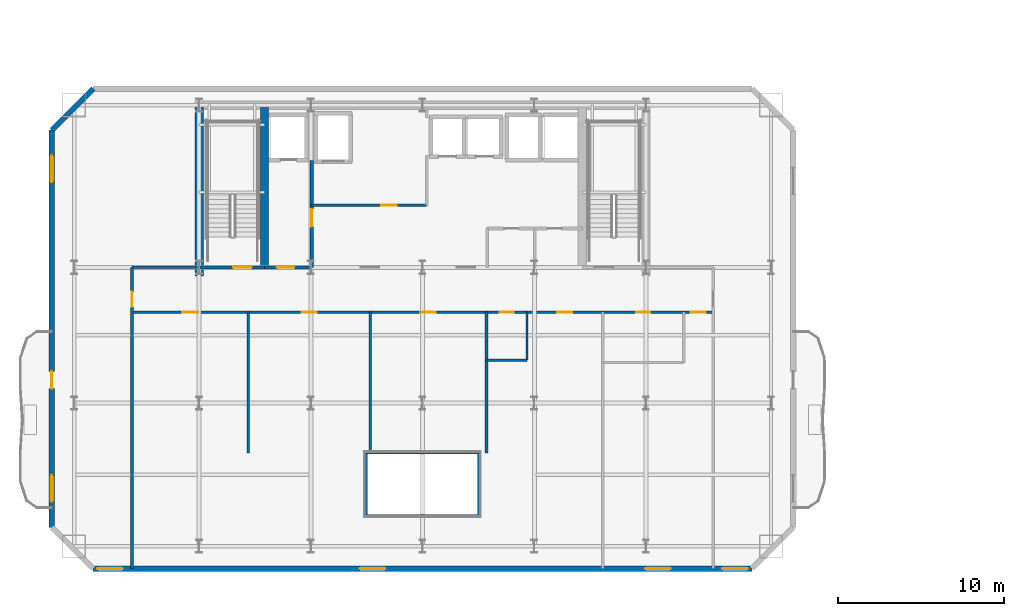
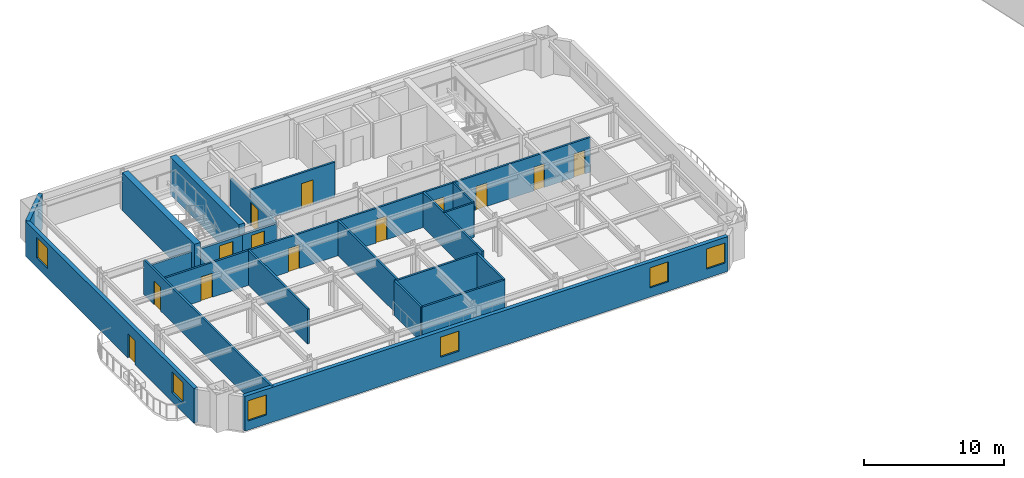
# One storey, part 5 of 13: 21 walls, 13 doors, 6 windows, 19 openings.
"""IFC4 building model written with IfcOpenShell, lengths in metres."""

import ifcopenshell
import ifcopenshell.guid

model = None  # the IFC model being written
_history = None  # IfcOwnerHistory: only IFC2X3 demands one
_inside = {}  # id of a spatial element -> (the spatial element, [elements in it])
_under = {}  # id of a project, library or spatial element -> (it, [spatial elements below it])
_declared = {}  # id of a project -> (the project, [libraries it declares])
_typed = {}  # id of a type object -> (the type object, [elements of that type])
_made_of = {}  # id of a material, layer set ... -> (it, [elements and type objects made of it])


def new_model(schema):
    """Start an empty IFC model of exactly this schema.

    Asked for "IFC4X3", IfcOpenShell would pick the latest addendum, in which some entities
    have other attributes; the version numbers below select the first issue.
    IFC2X3 requires an IfcOwnerHistory on every rooted entity: one is made here for all.
    """
    global model, _history
    if schema == "IFC4X3":
        model = ifcopenshell.file(schema_version=(4, 3, 0, 0))
    else:
        model = ifcopenshell.file(schema=schema)
    _inside.clear()
    _under.clear()
    _declared.clear()
    _typed.clear()
    _made_of.clear()
    _history = None
    if model.schema == "IFC2X3":
        org = make("IfcOrganization", Name="unknown")
        user = make(
            "IfcPersonAndOrganization",
            ThePerson=make("IfcPerson", FamilyName="unknown"),
            TheOrganization=org,
        )
        app = make(
            "IfcApplication",
            ApplicationDeveloper=org,
            Version="unknown",
            ApplicationFullName="unknown",
            ApplicationIdentifier="unknown",
        )
        _history = make(
            "IfcOwnerHistory",
            OwningUser=user,
            OwningApplication=app,
            ChangeAction="ADDED",
            CreationDate=0,
        )
    return model


def make(cls, **values):
    """One entity of the class cls with the attributes given. An attribute that is None is left unset."""
    return model.create_entity(
        cls, **{name: value for name, value in values.items() if value is not None}
    )


def rooted(cls, **values):
    """An entity with a GlobalId (a new one), such as an element, a storey or a relation."""
    return make(cls, GlobalId=ifcopenshell.guid.new(), OwnerHistory=_history, **values)


def si_unit(unit_type, name, prefix=None):
    """IfcSIUnit, for example si_unit("LENGTHUNIT", "METRE", prefix="MILLI")."""
    return make("IfcSIUnit", UnitType=unit_type, Prefix=prefix, Name=name)


def assignment(units):
    """IfcUnitAssignment: the units of a project."""
    return None if units is None else make("IfcUnitAssignment", Units=units)


def point(xyz):
    """IfcCartesianPoint."""
    return None if xyz is None else make("IfcCartesianPoint", Coordinates=xyz)


def direction(xyz):
    """IfcDirection."""
    return None if xyz is None else make("IfcDirection", DirectionRatios=xyz)


def frame(location, z_axis=None, x_axis=None):
    """IfcAxis2Placement3D, a coordinate frame: its origin and axes. An axis left out is left unset."""
    return make(
        "IfcAxis2Placement3D",
        Location=point(location),
        Axis=direction(z_axis),
        RefDirection=direction(x_axis),
    )


def frame_2d(location, x_axis=None):
    """IfcAxis2Placement2D, a coordinate frame in the plane: its origin and x axis."""
    return make(
        "IfcAxis2Placement2D", Location=point(location), RefDirection=direction(x_axis)
    )


def origin():
    """The frame at (0, 0, 0) with its axes left unset."""
    return frame((0.0, 0.0, 0.0))


def place(relative_to, where):
    """IfcLocalPlacement: puts the frame where relative to a parent placement (None: the world)."""
    return make(
        "IfcLocalPlacement", PlacementRelTo=relative_to, RelativePlacement=where
    )


def context(
    kind, dimensions, precision=None, world=None, true_north=None, identifier=None
):
    """IfcGeometricRepresentationContext, for example the 3D "Model" context."""
    return make(
        "IfcGeometricRepresentationContext",
        ContextIdentifier=identifier,
        ContextType=kind,
        CoordinateSpaceDimension=dimensions,
        Precision=precision,
        WorldCoordinateSystem=world,
        TrueNorth=true_north,
    )


def subcontext(parent, identifier, kind, view, scale=None):
    """IfcGeometricRepresentationSubContext, for example "Body" below "Model"."""
    return make(
        "IfcGeometricRepresentationSubContext",
        ContextIdentifier=identifier,
        ContextType=kind,
        ParentContext=parent,
        TargetScale=scale,
        TargetView=view,
    )


def project(units=None, contexts=None):
    """IfcProject with its units and contexts."""
    return rooted(
        "IfcProject",
        Name="project",
        RepresentationContexts=contexts,
        UnitsInContext=assignment(units),
    )


def spatial(cls, under=None, at=None, **own):
    """A site, building, storey or space (cls), placed at a placement, below another one or the project."""
    s = rooted(cls, ObjectPlacement=at, **own)
    if under is not None:
        _under.setdefault(under.id(), (under, []))[1].append(s)
    return s


def profile(cls, at=None, kind="AREA", **sizes):
    """A parametric profile (cls). Its sizes go by their IFC names, for example OverallWidth=200.0."""
    return make(cls, ProfileType=kind, Position=at, **sizes)


def rectangle(**sizes):
    """IfcRectangleProfileDef."""
    return profile("IfcRectangleProfileDef", **sizes)


def extrude(swept, where, along, depth):
    """IfcExtrudedAreaSolid: the profile swept, set in the frame where, extruded along a direction by depth."""
    return make(
        "IfcExtrudedAreaSolid",
        SweptArea=swept,
        Position=where,
        ExtrudedDirection=direction(along),
        Depth=depth,
    )


def shape(context_of_items, identifier, shape_type, items):
    """IfcShapeRepresentation: the items that make up one representation, for example the "Body"."""
    return make(
        "IfcShapeRepresentation",
        ContextOfItems=context_of_items,
        RepresentationIdentifier=identifier,
        RepresentationType=shape_type,
        Items=items,
    )


def material(Name=None, Category=None):
    """IfcMaterial."""
    return make("IfcMaterial", Name=Name, Category=Category)


def layer(
    of_material, thickness, ventilated=None, Name=None, Category=None, Priority=None
):
    """IfcMaterialLayer: one layer of a wall or slab, of a material (None: an air gap)."""
    return make(
        "IfcMaterialLayer",
        Material=of_material,
        LayerThickness=thickness,
        IsVentilated=ventilated,
        Name=Name,
        Category=Category,
        Priority=Priority,
    )


def layer_set(layers, Name=None):
    """IfcMaterialLayerSet."""
    return make("IfcMaterialLayerSet", MaterialLayers=layers, LayerSetName=Name)


def made_of(thing, what):
    """Note that an element or type object is made of a material, layer set ...; save() writes the relation."""
    if what is not None:
        _made_of.setdefault(what.id(), (what, []))[1].append(thing)
    return thing


def type_object(cls, material=None, **own):
    """A type object (cls), such as IfcWallType, which elements share."""
    return made_of(rooted(cls, **own), material)


def element(
    cls,
    number,
    at=None,
    inside=None,
    cuts=None,
    type_object=None,
    material=None,
    context=None,
    identifier="Body",
    shape_type=None,
    held_by="IfcProductDefinitionShape",
    body=None,
    shapes=None,
    **own,
):
    """One element of the class cls, such as IfcWall. Its Tag is "e" and its number.

    at: its placement. inside: the storey or other place that contains it. cuts: it is an
    opening in that element (IfcRelVoidsElement). A single representation is given by context,
    identifier, shape_type and body (its items); several are given by shapes. held_by: the class
    of the entity that holds the representations. save() writes the other relations.
    """
    e = rooted(cls, Tag="e%d" % number, ObjectPlacement=at, **own)
    if body is not None:
        shapes = [shape(context, identifier, shape_type, body)]
    if shapes is not None:
        e.Representation = make(held_by, Representations=shapes)
    if inside is not None:
        _inside.setdefault(inside.id(), (inside, []))[1].append(e)
    if cuts is not None:
        rooted(
            "IfcRelVoidsElement", RelatingBuildingElement=cuts, RelatedOpeningElement=e
        )
    if type_object is not None:
        _typed.setdefault(type_object.id(), (type_object, []))[1].append(e)
    return made_of(e, material)


def fill(opening, filler):
    """IfcRelFillsElement: the door or window that sits in an opening."""
    return rooted(
        "IfcRelFillsElement",
        RelatingOpeningElement=opening,
        RelatedBuildingElement=filler,
    )


def aggregate(whole, parts):
    """IfcRelAggregates: a whole, such as a stair, and the parts it consists of."""
    return rooted("IfcRelAggregates", RelatingObject=whole, RelatedObjects=parts)


def save(model, path):
    """Write the relations noted so far, then the file.

    IfcRelAggregates (storeys below a building ...), IfcRelContainedInSpatialStructure (elements
    in a storey), IfcRelDefinesByType, IfcRelAssociatesMaterial and IfcRelDeclares: one each for
    every whole, place, type object, material and project.
    """
    for whole, parts in _under.values():
        aggregate(whole, parts)
    for where, things in _inside.values():
        rooted(
            "IfcRelContainedInSpatialStructure",
            RelatedElements=things,
            RelatingStructure=where,
        )
    for kind, things in _typed.values():
        rooted("IfcRelDefinesByType", RelatedObjects=things, RelatingType=kind)
    for what, things in _made_of.values():
        rooted("IfcRelAssociatesMaterial", RelatedObjects=things, RelatingMaterial=what)
    for by, libraries in _declared.values():
        rooted("IfcRelDeclares", RelatingContext=by, RelatedDefinitions=libraries)
    model.write(path)


model = new_model("IFC4")

# Units and contexts
model_context = context("Model", 3, precision=1e-05, world=origin(), true_north=direction((0.0, 1.0)))
body_context = subcontext(model_context, "Body", "Model", "MODEL_VIEW")
ifc_project = project(units=[si_unit("LENGTHUNIT", "METRE"), si_unit("AREAUNIT", "SQUARE_METRE"), si_unit("VOLUMEUNIT", "CUBIC_METRE"), si_unit("PLANEANGLEUNIT", "RADIAN"), si_unit("MASSUNIT", "GRAM", prefix="KILO")], contexts=[model_context])

# Site, building, storey
site_placement = place(None, origin())
site = spatial("IfcSite", under=ifc_project, at=site_placement, CompositionType="ELEMENT")
building_placement = place(site_placement, origin())
building = spatial("IfcBuilding", under=site, at=building_placement, Name="Haevon Station Towers", CompositionType="ELEMENT")
storey_placement = place(building_placement, frame((0.0, 0.0, 126.300048828125)))
storey = spatial("IfcBuildingStorey", under=building, at=storey_placement, Name="L34", CompositionType="ELEMENT", Elevation=126.300048828125)

# Wall, opening, door
ifc_material_1 = material(Name="Gypsum board on steel stud", Category="steel")
ifc_layer_1 = layer(ifc_material_1, 0.199951171875)
ifc_layer_set_1 = layer_set([ifc_layer_1], Name="Gypsum board on steel stud")
wall_type_1 = type_object("IfcWallType", Name="WL-COR200", PredefinedType="PARTITIONING", material=ifc_layer_set_1)
wall_1_placement = place(storey_placement, frame((24.0, 38.199951171875, 0.0), z_axis=(0.0, 0.0, 1.0), x_axis=(1.0, 0.0, 0.0)))
wall_1 = element("IfcWall", 1, at=wall_1_placement, inside=storey, type_object=wall_type_1, Name="WL-ST-ST1-L34", PredefinedType="PARTITIONING", context=body_context, shape_type="SweptSolid", body=[
    extrude(rectangle(XDim=3.949951171875, YDim=0.199951171875, at=frame_2d((1.97509765625, 0.0))), origin(), (0.0, 0.0, 1.0), 2.3798828125),
])
opening_1_placement = place(wall_1_placement, frame((2.050048828125, 0.0, 0.0)))
opening_1 = element("IfcOpeningElement", 2, at=opening_1_placement, cuts=wall_1, Name="Opening DR-ST-ST1-L34", PredefinedType="OPENING", context=body_context, shape_type="SweptSolid", body=[
    extrude(rectangle(XDim=1.1201171875, YDim=2.10009765625, at=frame_2d((0.56005859375, 1.050048828125))), frame((0.0, 0.10986328125, 0.0), z_axis=(0.0, -1.0, 0.0), x_axis=(1.0, 0.0, 0.0)), (0.0, 0.0, 1.0), 0.219970703125),
])
ifc_material_2 = material(Name="Engineered oak timber", Category="wood")
door_type_1 = type_object("IfcDoorType", Name="DR-ST-1120", OperationType="NOTDEFINED", PredefinedType="DOOR", material=ifc_material_2)
door_1_placement = place(opening_1_placement, origin())
door_1 = element("IfcDoor", 3, at=door_1_placement, inside=storey, type_object=door_type_1, Name="L34 Escape Stair ST1 Fire Door", OperationType="SINGLE_SWING_LEFT", OverallHeight=2.10009765625, OverallWidth=1.1201171875, PredefinedType="DOOR", context=body_context, shape_type="SweptSolid", body=[
    extrude(rectangle(XDim=1.1201171875, YDim=2.10009765625, at=frame_2d((0.56005859375, 1.050048828125))), frame((0.0, 0.02490234375, 0.0), z_axis=(0.0, -1.0, 0.0), x_axis=(1.0, 0.0, 0.0)), (0.0, 0.0, 1.0), 0.050048828125),
])
fill(opening_1, door_1)

wall_2_placement = place(storey_placement, frame((30.800048828125, 38.199951171875, 0.0), z_axis=(0.0, 0.0, 1.0), x_axis=(0.0, 1.0, 0.0)))
wall_2 = element("IfcWall", 4, at=wall_2_placement, inside=storey, type_object=wall_type_1, Name="WL-T1FFL-L34-E", PredefinedType="PARTITIONING", context=body_context, shape_type="SweptSolid", body=[
    extrude(rectangle(XDim=6.449951171875, YDim=0.199951171875, at=frame_2d((3.22509765625, 0.0))), origin(), (0.0, 0.0, 1.0), 2.3798828125),
])
opening_2_placement = place(wall_2_placement, frame((2.469970703125, 0.0, 0.0)))
opening_2 = element("IfcOpeningElement", 5, at=opening_2_placement, cuts=wall_2, Name="Opening DR-T1FFL-L34-E", PredefinedType="OPENING", context=body_context, shape_type="SweptSolid", body=[
    extrude(rectangle(XDim=1.050048828125, YDim=2.10009765625, at=frame_2d((0.52490234375, 1.050048828125))), frame((0.0, 0.10986328125, 0.0), z_axis=(0.0, -1.0, 0.0), x_axis=(1.0, 0.0, 0.0)), (0.0, 0.0, 1.0), 0.219970703125),
])
door_type_2 = type_object("IfcDoorType", Name="DR-FD60-1050", OperationType="NOTDEFINED", PredefinedType="DOOR", material=ifc_material_2)
door_2_placement = place(opening_2_placement, origin())
door_2 = element("IfcDoor", 6, at=door_2_placement, inside=storey, type_object=door_type_2, Name="L34 Tower 1 Firefighting Lift Lobby Door E", OperationType="SINGLE_SWING_LEFT", OverallHeight=2.10009765625, OverallWidth=1.050048828125, PredefinedType="DOOR", context=body_context, shape_type="SweptSolid", body=[
    extrude(rectangle(XDim=1.050048828125, YDim=2.10009765625, at=frame_2d((0.52490234375, 1.050048828125))), frame((0.0, 0.02490234375, 0.0), z_axis=(0.0, -1.0, 0.0), x_axis=(1.0, 0.0, 0.0)), (0.0, 0.0, 1.0), 0.050048828125),
])
fill(opening_2, door_2)

wall_3_placement = place(storey_placement, frame((27.949951171875, 38.199951171875, 0.0), z_axis=(0.0, 0.0, 1.0), x_axis=(1.0, 0.0, 0.0)))
wall_3 = element("IfcWall", 7, at=wall_3_placement, inside=storey, type_object=wall_type_1, Name="WL-T1FFL-L34-S", PredefinedType="PARTITIONING", context=body_context, shape_type="SweptSolid", body=[
    extrude(rectangle(XDim=2.85009765625, YDim=0.199951171875, at=frame_2d((1.425048828125, 0.0))), origin(), (0.0, 0.0, 1.0), 2.3798828125),
])
opening_3_placement = place(wall_3_placement, frame((0.75, 0.0, 0.0)))
opening_3 = element("IfcOpeningElement", 8, at=opening_3_placement, cuts=wall_3, Name="Opening DR-T1FFL-L34-S", PredefinedType="OPENING", context=body_context, shape_type="SweptSolid", body=[
    extrude(rectangle(XDim=1.050048828125, YDim=2.10009765625, at=frame_2d((0.52490234375, 1.050048828125))), frame((0.0, 0.10986328125, 0.0), z_axis=(0.0, -1.0, 0.0), x_axis=(1.0, 0.0, 0.0)), (0.0, 0.0, 1.0), 0.219970703125),
])
door_3_placement = place(opening_3_placement, origin())
door_3 = element("IfcDoor", 9, at=door_3_placement, inside=storey, type_object=door_type_2, Name="L34 Tower 1 Firefighting Lift Lobby Door S", OperationType="SINGLE_SWING_RIGHT", OverallHeight=2.10009765625, OverallWidth=1.050048828125, PredefinedType="DOOR", context=body_context, shape_type="SweptSolid", body=[
    extrude(rectangle(XDim=1.050048828125, YDim=2.10009765625, at=frame_2d((0.52490234375, 1.050048828125))), frame((0.0, 0.02490234375, 0.0), z_axis=(0.0, -1.0, 0.0), x_axis=(1.0, 0.0, 0.0)), (0.0, 0.0, 1.0), 0.050048828125),
])
fill(opening_3, door_3)

# Walls
ifc_material_3 = material(Name="Concrete C60/75", Category="concrete")
ifc_layer_2 = layer(ifc_material_3, 0.5)
ifc_layer_set_2 = layer_set([ifc_layer_2], Name="Concrete C60/75")
wall_type_2 = type_object("IfcWallType", Name="WL-CR500", PredefinedType="SHEAR", material=ifc_layer_set_2)
wall_4_placement = place(storey_placement, frame((24.0, 37.679931640625, 0.0), z_axis=(0.0, 0.0, 1.0), x_axis=(0.0, 1.0, 0.0)))
element("IfcWall", 10, at=wall_4_placement, inside=storey, type_object=wall_type_2, Name="WL-T1CR-L34-W", PredefinedType="SHEAR", context=body_context, shape_type="SweptSolid", body=[
    extrude(rectangle(XDim=10.320068359375, YDim=0.5, at=frame_2d((5.16015625, 0.0))), origin(), (0.0, 0.0, 1.0), 3.300048828125),
])
wall_5_placement = place(storey_placement, frame((27.949951171875, 38.199951171875, 0.0), z_axis=(0.0, 0.0, 1.0), x_axis=(0.0, 1.0, 0.0)))
element("IfcWall", 11, at=wall_5_placement, inside=storey, type_object=wall_type_2, Name="WL-T1CR-L34-M1", PredefinedType="SHEAR", context=body_context, shape_type="SweptSolid", body=[
    extrude(rectangle(XDim=9.800048828125, YDim=0.5, at=frame_2d((4.89990234375, 0.0))), origin(), (0.0, 0.0, 1.0), 3.300048828125),
])

# Wall, openings, windows
ifc_material_4 = material(Name="Precast concrete C45/55", Category="concrete")
ifc_layer_3 = layer(ifc_material_4, 0.320068359375)
ifc_layer_set_3 = layer_set([ifc_layer_3], Name="Precast concrete C45/55")
wall_type_3 = type_object("IfcWallType", Name="WL-EXT-PIER320", PredefinedType="SOLIDWALL", material=ifc_layer_set_3)
wall_6_placement = place(storey_placement, frame((57.39990234375, 20.0, 0.0), z_axis=(0.0, 0.0, 1.0), x_axis=(-1.0, 0.0, 0.0)))
wall_6 = element("IfcWall", 12, at=wall_6_placement, inside=storey, type_object=wall_type_3, Name="WL-T1-L34-S", PredefinedType="SOLIDWALL", context=body_context, shape_type="SweptSolid", body=[
    extrude(rectangle(XDim=39.7998046875, YDim=0.320068359375, at=frame_2d((19.89990234375, 0.0))), origin(), (0.0, 0.0, 1.0), 3.030029296875),
])
opening_4_placement = place(wall_6_placement, frame((38.0, 0.0, 0.800048828125)))
opening_4 = element("IfcOpeningElement", 13, at=opening_4_placement, cuts=wall_6, Name="Opening WN-P155", PredefinedType="OPENING", context=body_context, shape_type="SweptSolid", body=[
    extrude(rectangle(XDim=1.550048828125, YDim=1.75, at=frame_2d((0.77490234375, 0.875))), frame((0.0, 0.169921875, 0.0), z_axis=(0.0, -1.0, 0.0), x_axis=(1.0, 0.0, 0.0)), (0.0, 0.0, 1.0), 0.340087890625),
])
opening_5_placement = place(wall_6_placement, frame((0.25, 0.0, 0.800048828125)))
opening_5 = element("IfcOpeningElement", 14, at=opening_5_placement, cuts=wall_6, Name="Opening WN-P155", PredefinedType="OPENING", context=body_context, shape_type="SweptSolid", body=[
    extrude(rectangle(XDim=1.550048828125, YDim=1.75, at=frame_2d((0.77490234375, 0.875))), frame((0.0, 0.169921875, 0.0), z_axis=(0.0, -1.0, 0.0), x_axis=(1.0, 0.0, 0.0)), (0.0, 0.0, 1.0), 0.340087890625),
])
opening_6_placement = place(wall_6_placement, frame((22.1494140625, 0.0, 0.800048828125)))
opening_6 = element("IfcOpeningElement", 15, at=opening_6_placement, cuts=wall_6, Name="Opening WN-P155", PredefinedType="OPENING", context=body_context, shape_type="SweptSolid", body=[
    extrude(rectangle(XDim=1.550048828125, YDim=1.75, at=frame_2d((0.77490234375, 0.875))), frame((0.0, 0.169921875, 0.0), z_axis=(0.0, -1.0, 0.0), x_axis=(1.0, 0.0, 0.0)), (0.0, 0.0, 1.0), 0.340087890625),
])
opening_7_placement = place(wall_6_placement, frame((4.909423828125, 0.0, 0.800048828125)))
opening_7 = element("IfcOpeningElement", 16, at=opening_7_placement, cuts=wall_6, Name="Opening WN-P155", PredefinedType="OPENING", context=body_context, shape_type="SweptSolid", body=[
    extrude(rectangle(XDim=1.550048828125, YDim=1.75, at=frame_2d((0.77490234375, 0.875))), frame((0.0, 0.169921875, 0.0), z_axis=(0.0, -1.0, 0.0), x_axis=(1.0, 0.0, 0.0)), (0.0, 0.0, 1.0), 0.340087890625),
])
ifc_material_5 = material(Name="Low-E triple glazing in thermally broken aluminium", Category="aluminium")
window_type_1 = type_object("IfcWindowType", Name="WN-P155", PartitioningType="SINGLE_PANEL", PredefinedType="WINDOW", material=ifc_material_5)
window_1_placement = place(opening_4_placement, origin())
window_1 = element("IfcWindow", 17, at=window_1_placement, inside=storey, type_object=window_type_1, Name="WN-T1-L34-S01", OverallHeight=1.75, OverallWidth=1.550048828125, PartitioningType="SINGLE_PANEL", PredefinedType="WINDOW", context=body_context, shape_type="SweptSolid", body=[
    extrude(rectangle(XDim=1.550048828125, YDim=1.75, at=frame_2d((0.77490234375, 0.875))), frame((0.0, 0.030029296875, 0.0), z_axis=(0.0, -1.0, 0.0), x_axis=(1.0, 0.0, 0.0)), (0.0, 0.0, 1.0), 0.06005859375),
])
fill(opening_4, window_1)
window_2_placement = place(opening_5_placement, origin())
window_2 = element("IfcWindow", 18, at=window_2_placement, inside=storey, type_object=window_type_1, Name="WN-T1-L34-S02", OverallHeight=1.75, OverallWidth=1.550048828125, PartitioningType="SINGLE_PANEL", PredefinedType="WINDOW", context=body_context, shape_type="SweptSolid", body=[
    extrude(rectangle(XDim=1.550048828125, YDim=1.75, at=frame_2d((0.77490234375, 0.875))), frame((0.0, 0.030029296875, 0.0), z_axis=(0.0, -1.0, 0.0), x_axis=(1.0, 0.0, 0.0)), (0.0, 0.0, 1.0), 0.06005859375),
])
fill(opening_5, window_2)
window_3_placement = place(opening_6_placement, origin())
window_3 = element("IfcWindow", 19, at=window_3_placement, inside=storey, type_object=window_type_1, Name="WN-T1-L34-S03", OverallHeight=1.75, OverallWidth=1.550048828125, PartitioningType="SINGLE_PANEL", PredefinedType="WINDOW", context=body_context, shape_type="SweptSolid", body=[
    extrude(rectangle(XDim=1.550048828125, YDim=1.75, at=frame_2d((0.77490234375, 0.875))), frame((0.0, 0.030029296875, 0.0), z_axis=(0.0, -1.0, 0.0), x_axis=(1.0, 0.0, 0.0)), (0.0, 0.0, 1.0), 0.06005859375),
])
fill(opening_6, window_3)
window_4_placement = place(opening_7_placement, origin())
window_4 = element("IfcWindow", 20, at=window_4_placement, inside=storey, type_object=window_type_1, Name="WN-T1-L34-S04", OverallHeight=1.75, OverallWidth=1.550048828125, PartitioningType="SINGLE_PANEL", PredefinedType="WINDOW", context=body_context, shape_type="SweptSolid", body=[
    extrude(rectangle(XDim=1.550048828125, YDim=1.75, at=frame_2d((0.77490234375, 0.875))), frame((0.0, 0.030029296875, 0.0), z_axis=(0.0, -1.0, 0.0), x_axis=(1.0, 0.0, 0.0)), (0.0, 0.0, 1.0), 0.06005859375),
])
fill(opening_7, window_4)

# Wall, openings, door, windows
wall_7_placement = place(storey_placement, frame((15.10009765625, 22.5, 0.0), z_axis=(0.0, 0.0, 1.0), x_axis=(0.0, 1.0, 0.0)))
wall_7 = element("IfcWall", 21, at=wall_7_placement, inside=storey, type_object=wall_type_3, Name="WL-T1-L34-W", PredefinedType="SOLIDWALL", context=body_context, shape_type="SweptSolid", body=[
    extrude(rectangle(XDim=24.0, YDim=0.320068359375, at=frame_2d((12.0, 0.0))), origin(), (0.0, 0.0, 1.0), 3.030029296875),
])
opening_8_placement = place(wall_7_placement, frame((8.375, 0.0, 0.0)))
opening_8 = element("IfcOpeningElement", 22, at=opening_8_placement, cuts=wall_7, Name="Opening DR-T1-SCAL-L34-W", PredefinedType="OPENING", context=body_context, shape_type="SweptSolid", body=[
    extrude(rectangle(XDim=1.050048828125, YDim=2.10009765625, at=frame_2d((0.52490234375, 1.050048828125))), frame((0.0, 0.169921875, 0.0), z_axis=(0.0, -1.0, 0.0), x_axis=(1.0, 0.0, 0.0)), (0.0, 0.0, 1.0), 0.340087890625),
])
opening_9_placement = place(wall_7_placement, frame((1.54296875, 0.0, 0.800048828125)))
opening_9 = element("IfcOpeningElement", 23, at=opening_9_placement, cuts=wall_7, Name="Opening WN-END160", PredefinedType="OPENING", context=body_context, shape_type="SweptSolid", body=[
    extrude(rectangle(XDim=1.60009765625, YDim=1.800048828125, at=frame_2d((0.800048828125, 0.89990234375))), frame((0.0, 0.169921875, 0.0), z_axis=(0.0, -1.0, 0.0), x_axis=(1.0, 0.0, 0.0)), (0.0, 0.0, 1.0), 0.340087890625),
])
opening_10_placement = place(wall_7_placement, frame((20.857177734375, 0.0, 0.800048828125)))
opening_10 = element("IfcOpeningElement", 24, at=opening_10_placement, cuts=wall_7, Name="Opening WN-END160", PredefinedType="OPENING", context=body_context, shape_type="SweptSolid", body=[
    extrude(rectangle(XDim=1.60009765625, YDim=1.800048828125, at=frame_2d((0.800048828125, 0.89990234375))), frame((0.0, 0.169921875, 0.0), z_axis=(0.0, -1.0, 0.0), x_axis=(1.0, 0.0, 0.0)), (0.0, 0.0, 1.0), 0.340087890625),
])
ifc_material_6 = material(Name="Thermally broken anodised aluminium and laminated safety glass", Category="aluminium")
door_type_3 = type_object("IfcDoorType", Name="DR-BALC-1050", OperationType="NOTDEFINED", PredefinedType="DOOR", material=ifc_material_6)
door_4_placement = place(opening_8_placement, origin())
door_4 = element("IfcDoor", 25, at=door_4_placement, inside=storey, type_object=door_type_3, Name="Tower 1 L34 West Scalloped Balcony Door", OperationType="SINGLE_SWING_RIGHT", OverallHeight=2.10009765625, OverallWidth=1.050048828125, PredefinedType="DOOR", context=body_context, shape_type="SweptSolid", body=[
    extrude(rectangle(XDim=1.050048828125, YDim=2.10009765625, at=frame_2d((0.52490234375, 1.050048828125))), frame((0.0, 0.02490234375, 0.0), z_axis=(0.0, -1.0, 0.0), x_axis=(1.0, 0.0, 0.0)), (0.0, 0.0, 1.0), 0.050048828125),
])
fill(opening_8, door_4)
window_type_2 = type_object("IfcWindowType", Name="WN-END160", PartitioningType="SINGLE_PANEL", PredefinedType="WINDOW", material=ifc_material_5)
window_5_placement = place(opening_9_placement, origin())
window_5 = element("IfcWindow", 26, at=window_5_placement, inside=storey, type_object=window_type_2, Name="WN-T1-L34-W01", OverallHeight=1.800048828125, OverallWidth=1.60009765625, PartitioningType="SINGLE_PANEL", PredefinedType="WINDOW", context=body_context, shape_type="SweptSolid", body=[
    extrude(rectangle(XDim=1.60009765625, YDim=1.800048828125, at=frame_2d((0.800048828125, 0.89990234375))), frame((0.0, 0.030029296875, 0.0), z_axis=(0.0, -1.0, 0.0), x_axis=(1.0, 0.0, 0.0)), (0.0, 0.0, 1.0), 0.06005859375),
])
fill(opening_9, window_5)
window_6_placement = place(opening_10_placement, origin())
window_6 = element("IfcWindow", 27, at=window_6_placement, inside=storey, type_object=window_type_2, Name="WN-T1-L34-W02", OverallHeight=1.800048828125, OverallWidth=1.60009765625, PartitioningType="SINGLE_PANEL", PredefinedType="WINDOW", context=body_context, shape_type="SweptSolid", body=[
    extrude(rectangle(XDim=1.60009765625, YDim=1.800048828125, at=frame_2d((0.800048828125, 0.89990234375))), frame((0.0, 0.030029296875, 0.0), z_axis=(0.0, -1.0, 0.0), x_axis=(1.0, 0.0, 0.0)), (0.0, 0.0, 1.0), 0.06005859375),
])
fill(opening_10, window_6)

# Walls
wall_8_placement = place(storey_placement, frame((15.10009765625, 46.5, 0.0), z_axis=(0.0, 0.0, 1.0), x_axis=(0.707106781187, 0.707106781187, 0.0)))
element("IfcWall", 28, at=wall_8_placement, inside=storey, type_object=wall_type_3, Name="WL-T1-L34-NWC", PredefinedType="SOLIDWALL", context=body_context, shape_type="SweptSolid", body=[
    extrude(rectangle(XDim=3.53564453125, YDim=0.320068359375, at=frame_2d((1.767822265625, 0.0))), origin(), (0.0, 0.0, 1.0), 3.030029296875),
])
ifc_layer_4 = layer(ifc_material_1, 0.125)
ifc_layer_set_4 = layer_set([ifc_layer_4], Name="Gypsum board on steel stud")
wall_type_4 = type_object("IfcWallType", Name="WL-PRT125", PredefinedType="PARTITIONING", material=ifc_layer_set_4)
wall_9_placement = place(storey_placement, frame((43.81103515625, 32.60009765625, 0.0), z_axis=(0.0, 0.0, 1.0), x_axis=(0.0, 1.0, 0.0)))
element("IfcWall", 29, at=wall_9_placement, inside=storey, type_object=wall_type_4, Name="WL-T1PT-L34-15", PredefinedType="PARTITIONING", context=body_context, shape_type="SweptSolid", body=[
    extrude(rectangle(XDim=2.89990234375, YDim=0.125, at=frame_2d((1.449951171875, 0.0))), origin(), (0.0, 0.0, 1.0), 3.030029296875),
])
ifc_layer_5 = layer(ifc_material_1, 0.139892578125)
ifc_layer_set_5 = layer_set([ifc_layer_5], Name="Gypsum board on steel stud")
wall_type_5 = type_object("IfcWallType", Name="WL-PRT140", PredefinedType="PARTITIONING", material=ifc_layer_set_5)
wall_10_placement = place(storey_placement, frame((41.361083984375, 32.60009765625, 0.0), z_axis=(0.0, 0.0, 1.0), x_axis=(1.0, 0.0, 0.0)))
element("IfcWall", 30, at=wall_10_placement, inside=storey, type_object=wall_type_5, Name="WL-T1PT-L34-14", PredefinedType="PARTITIONING", context=body_context, shape_type="SweptSolid", body=[
    extrude(rectangle(XDim=2.449951171875, YDim=0.139892578125, at=frame_2d((1.22509765625, 0.0))), origin(), (0.0, 0.0, 1.0), 3.030029296875),
])

# Wall, opening, door
ifc_layer_6 = layer(ifc_material_1, 0.159912109375)
ifc_layer_set_6 = layer_set([ifc_layer_6], Name="Gypsum board on steel stud")
wall_type_6 = type_object("IfcWallType", Name="WL-PRT160", PredefinedType="PARTITIONING", material=ifc_layer_set_6)
wall_11_placement = place(storey_placement, frame((30.800048828125, 41.949951171875, 0.0), z_axis=(0.0, 0.0, 1.0), x_axis=(1.0, 0.0, 0.0)))
wall_11 = element("IfcWall", 31, at=wall_11_placement, inside=storey, type_object=wall_type_6, Name="WL-T1CW-L34-01", PredefinedType="PARTITIONING", context=body_context, shape_type="SweptSolid", body=[
    extrude(rectangle(XDim=6.949951171875, YDim=0.159912109375, at=frame_2d((3.47509765625, 0.0))), origin(), (0.0, 0.0, 1.0), 3.030029296875),
])
opening_11_placement = place(wall_11_placement, frame((4.199951171875, 0.0, 0.0)))
opening_11 = element("IfcOpeningElement", 32, at=opening_11_placement, cuts=wall_11, Name="Opening DR-WL-T1CW-L34-01-1", PredefinedType="OPENING", context=body_context, shape_type="SweptSolid", body=[
    extrude(rectangle(XDim=0.949951171875, YDim=2.10009765625, at=frame_2d((0.47509765625, 1.050048828125))), frame((0.0, 0.08984375, 0.0), z_axis=(0.0, -1.0, 0.0), x_axis=(1.0, 0.0, 0.0)), (0.0, 0.0, 1.0), 0.179931640625),
])
door_type_4 = type_object("IfcDoorType", Name="DR-FD60-950", OperationType="NOTDEFINED", PredefinedType="DOOR", material=ifc_material_2)
door_5_placement = place(opening_11_placement, origin())
door_5 = element("IfcDoor", 33, at=door_5_placement, inside=storey, type_object=door_type_4, Name="L34 Tower 1 Core Room Door 1-1", OperationType="SINGLE_SWING_LEFT", OverallHeight=2.10009765625, OverallWidth=0.949951171875, PredefinedType="DOOR", context=body_context, shape_type="SweptSolid", body=[
    extrude(rectangle(XDim=0.949951171875, YDim=2.10009765625, at=frame_2d((0.47509765625, 1.050048828125))), frame((0.0, 0.02490234375, 0.0), z_axis=(0.0, -1.0, 0.0), x_axis=(1.0, 0.0, 0.0)), (0.0, 0.0, 1.0), 0.050048828125),
])
fill(opening_11, door_5)

# Wall
wall_12_placement = place(storey_placement, frame((19.949951171875, 38.199951171875, 0.0), z_axis=(0.0, 0.0, 1.0), x_axis=(1.0, 0.0, 0.0)))
element("IfcWall", 34, at=wall_12_placement, inside=storey, type_object=wall_type_6, Name="WL-T1PT-L34-01", PredefinedType="PARTITIONING", context=body_context, shape_type="SweptSolid", body=[
    extrude(rectangle(XDim=4.050048828125, YDim=0.159912109375, at=frame_2d((2.02490234375, 0.0))), origin(), (0.0, 0.0, 1.0), 2.3798828125),
])

# Wall, opening, door
wall_13_placement = place(storey_placement, frame((19.949951171875, 20.0, 0.0), z_axis=(0.0, 0.0, 1.0), x_axis=(0.0, 1.0, 0.0)))
wall_13 = element("IfcWall", 35, at=wall_13_placement, inside=storey, type_object=wall_type_6, Name="WL-T1PT-L34-03", PredefinedType="PARTITIONING", context=body_context, shape_type="SweptSolid", body=[
    extrude(rectangle(XDim=18.199951171875, YDim=0.159912109375, at=frame_2d((9.10009765625, 0.0))), origin(), (0.0, 0.0, 1.0), 3.030029296875),
])
opening_12_placement = place(wall_13_placement, frame((15.820068359375, 0.0, 0.0)))
opening_12 = element("IfcOpeningElement", 36, at=opening_12_placement, cuts=wall_13, Name="Opening DR-WL-T1PT-L34-03-01", PredefinedType="OPENING", context=body_context, shape_type="SweptSolid", body=[
    extrude(rectangle(XDim=0.89990234375, YDim=2.050048828125, at=frame_2d((0.449951171875, 1.02490234375))), frame((0.0, 0.08984375, 0.0), z_axis=(0.0, -1.0, 0.0), x_axis=(1.0, 0.0, 0.0)), (0.0, 0.0, 1.0), 0.179931640625),
])
door_type_5 = type_object("IfcDoorType", Name="DR-INT-900", OperationType="NOTDEFINED", PredefinedType="DOOR", material=ifc_material_2)
door_6_placement = place(opening_12_placement, origin())
door_6 = element("IfcDoor", 37, at=door_6_placement, inside=storey, type_object=door_type_5, Name="L34 Tower 1 Room Door 3-1", OperationType="SINGLE_SWING_RIGHT", OverallHeight=2.050048828125, OverallWidth=0.89990234375, PredefinedType="DOOR", context=body_context, shape_type="SweptSolid", body=[
    extrude(rectangle(XDim=0.89990234375, YDim=2.050048828125, at=frame_2d((0.449951171875, 1.02490234375))), frame((0.0, 0.02490234375, 0.0), z_axis=(0.0, -1.0, 0.0), x_axis=(1.0, 0.0, 0.0)), (0.0, 0.0, 1.0), 0.050048828125),
])
fill(opening_12, door_6)

# Walls
for number, where, z_axis, x_axis, name in (
    (38, (34.10009765625, 23.199951171875, 0.0), (0.0, 0.0, 1.0), (1.0, 0.0, 0.0), "WL-T1PT-L34-05"),
    (39, (34.10009765625, 27.0, 0.0), (0.0, 0.0, 1.0), (1.0, 0.0, 0.0), "WL-T1PT-L34-06"),
):
    element("IfcWall", number, at=place(storey_placement, frame(where, z_axis=z_axis, x_axis=x_axis)), inside=storey, type_object=wall_type_6, Name=name, PredefinedType="PARTITIONING", context=body_context, shape_type="SweptSolid", body=[
        extrude(rectangle(XDim=6.7998046875, YDim=0.159912109375, at=frame_2d((3.39990234375, 0.0))), origin(), (0.0, 0.0, 1.0), 3.030029296875),
    ])
for number, where, z_axis, x_axis, name in (
    (40, (34.10009765625, 23.199951171875, 0.0), (0.0, 0.0, 1.0), (0.0, 1.0, 0.0), "WL-T1PT-L34-07"),
    (41, (40.89990234375, 23.199951171875, 0.0), (0.0, 0.0, 1.0), (0.0, 1.0, 0.0), "WL-T1PT-L34-08"),
):
    element("IfcWall", number, at=place(storey_placement, frame(where, z_axis=z_axis, x_axis=x_axis)), inside=storey, type_object=wall_type_6, Name=name, PredefinedType="PARTITIONING", context=body_context, shape_type="SweptSolid", body=[
        extrude(rectangle(XDim=3.800048828125, YDim=0.159912109375, at=frame_2d((1.89990234375, 0.0))), origin(), (0.0, 0.0, 1.0), 3.030029296875),
    ])
for number, where, z_axis, x_axis, name in (
    (42, (26.969970703125, 27.0, 0.0), (0.0, 0.0, 1.0), (0.0, 1.0, 0.0), "WL-T1PT-L34-09"),
    (43, (34.341064453125, 27.0, 0.0), (0.0, 0.0, 1.0), (0.0, 1.0, 0.0), "WL-T1PT-L34-10"),
    (44, (41.361083984375, 27.0, 0.0), (0.0, 0.0, 1.0), (0.0, 1.0, 0.0), "WL-T1PT-L34-12"),
):
    element("IfcWall", number, at=place(storey_placement, frame(where, z_axis=z_axis, x_axis=x_axis)), inside=storey, type_object=wall_type_6, Name=name, PredefinedType="PARTITIONING", context=body_context, shape_type="SweptSolid", body=[
        extrude(rectangle(XDim=8.5, YDim=0.159912109375, at=frame_2d((4.25, 0.0))), origin(), (0.0, 0.0, 1.0), 3.030029296875),
    ])

# Wall, openings, doors
wall_14_placement = place(storey_placement, frame((19.949951171875, 35.5, 0.0), z_axis=(0.0, 0.0, 1.0), x_axis=(1.0, 0.0, 0.0)))
wall_14 = element("IfcWall", 45, at=wall_14_placement, inside=storey, type_object=wall_type_6, Name="WL-T1PT-L34-19", PredefinedType="PARTITIONING", context=body_context, shape_type="SweptSolid", body=[
    extrude(rectangle(XDim=35.10009765625, YDim=0.159912109375, at=frame_2d((17.550048828125, 0.0))), origin(), (0.0, 0.0, 1.0), 3.030029296875),
])
opening_13_placement = place(wall_14_placement, frame((3.034912109375, 0.0, 0.0)))
opening_13 = element("IfcOpeningElement", 46, at=opening_13_placement, cuts=wall_14, Name="Opening DR-WL-T1PT-L34-19-01", PredefinedType="OPENING", context=body_context, shape_type="SweptSolid", body=[
    extrude(rectangle(XDim=0.949951171875, YDim=2.10009765625, at=frame_2d((0.47509765625, 1.050048828125))), frame((0.0, 0.08984375, 0.0), z_axis=(0.0, -1.0, 0.0), x_axis=(1.0, 0.0, 0.0)), (0.0, 0.0, 1.0), 0.179931640625),
])
opening_14_placement = place(wall_14_placement, frame((10.256103515625, 0.0, 0.0)))
opening_14 = element("IfcOpeningElement", 47, at=opening_14_placement, cuts=wall_14, Name="Opening DR-WL-T1PT-L34-19-02", PredefinedType="OPENING", context=body_context, shape_type="SweptSolid", body=[
    extrude(rectangle(XDim=0.89990234375, YDim=2.050048828125, at=frame_2d((0.449951171875, 1.02490234375))), frame((0.0, 0.08984375, 0.0), z_axis=(0.0, -1.0, 0.0), x_axis=(1.0, 0.0, 0.0)), (0.0, 0.0, 1.0), 0.179931640625),
])
opening_15_placement = place(wall_14_placement, frame((17.450927734375, 0.0, 0.0)))
opening_15 = element("IfcOpeningElement", 48, at=opening_15_placement, cuts=wall_14, Name="Opening DR-WL-T1PT-L34-19-03", PredefinedType="OPENING", context=body_context, shape_type="SweptSolid", body=[
    extrude(rectangle(XDim=0.89990234375, YDim=2.050048828125, at=frame_2d((0.449951171875, 1.02490234375))), frame((0.0, 0.08984375, 0.0), z_axis=(0.0, -1.0, 0.0), x_axis=(1.0, 0.0, 0.0)), (0.0, 0.0, 1.0), 0.179931640625),
])
opening_16_placement = place(wall_14_placement, frame((22.2109375, 0.0, 0.0)))
opening_16 = element("IfcOpeningElement", 49, at=opening_16_placement, cuts=wall_14, Name="Opening DR-WL-T1PT-L34-19-04", PredefinedType="OPENING", context=body_context, shape_type="SweptSolid", body=[
    extrude(rectangle(XDim=0.85009765625, YDim=2.050048828125, at=frame_2d((0.425048828125, 1.02490234375))), frame((0.0, 0.08984375, 0.0), z_axis=(0.0, -1.0, 0.0), x_axis=(1.0, 0.0, 0.0)), (0.0, 0.0, 1.0), 0.179931640625),
])
opening_17_placement = place(wall_14_placement, frame((25.696044921875, 0.0, 0.0)))
opening_17 = element("IfcOpeningElement", 50, at=opening_17_placement, cuts=wall_14, Name="Opening DR-WL-T1PT-L34-19-05", PredefinedType="OPENING", context=body_context, shape_type="SweptSolid", body=[
    extrude(rectangle(XDim=0.89990234375, YDim=2.050048828125, at=frame_2d((0.449951171875, 1.02490234375))), frame((0.0, 0.08984375, 0.0), z_axis=(0.0, -1.0, 0.0), x_axis=(1.0, 0.0, 0.0)), (0.0, 0.0, 1.0), 0.179931640625),
])
opening_18_placement = place(wall_14_placement, frame((30.450927734375, 0.0, 0.0)))
opening_18 = element("IfcOpeningElement", 51, at=opening_18_placement, cuts=wall_14, Name="Opening DR-WL-T1PT-L34-19-06", PredefinedType="OPENING", context=body_context, shape_type="SweptSolid", body=[
    extrude(rectangle(XDim=0.85009765625, YDim=2.050048828125, at=frame_2d((0.425048828125, 1.02490234375))), frame((0.0, 0.08984375, 0.0), z_axis=(0.0, -1.0, 0.0), x_axis=(1.0, 0.0, 0.0)), (0.0, 0.0, 1.0), 0.179931640625),
])
opening_19_placement = place(wall_14_placement, frame((33.760009765625, 0.0, 0.0)))
opening_19 = element("IfcOpeningElement", 52, at=opening_19_placement, cuts=wall_14, Name="Opening DR-WL-T1PT-L34-19-07", PredefinedType="OPENING", context=body_context, shape_type="SweptSolid", body=[
    extrude(rectangle(XDim=0.89990234375, YDim=2.050048828125, at=frame_2d((0.449951171875, 1.02490234375))), frame((0.0, 0.08984375, 0.0), z_axis=(0.0, -1.0, 0.0), x_axis=(1.0, 0.0, 0.0)), (0.0, 0.0, 1.0), 0.179931640625),
])
door_type_6 = type_object("IfcDoorType", Name="DR-FD30-850", OperationType="NOTDEFINED", PredefinedType="DOOR", material=ifc_material_2)
door_7_placement = place(opening_16_placement, origin())
door_7 = element("IfcDoor", 53, at=door_7_placement, inside=storey, type_object=door_type_6, Name="L34 Tower 1 Room Door 19-4", OperationType="SINGLE_SWING_LEFT", OverallHeight=2.050048828125, OverallWidth=0.85009765625, PredefinedType="DOOR", context=body_context, shape_type="SweptSolid", body=[
    extrude(rectangle(XDim=0.85009765625, YDim=2.050048828125, at=frame_2d((0.425048828125, 1.02490234375))), frame((0.0, 0.02490234375, 0.0), z_axis=(0.0, -1.0, 0.0), x_axis=(1.0, 0.0, 0.0)), (0.0, 0.0, 1.0), 0.050048828125),
])
fill(opening_16, door_7)
door_8_placement = place(opening_18_placement, origin())
door_8 = element("IfcDoor", 54, at=door_8_placement, inside=storey, type_object=door_type_6, Name="L34 Tower 1 Room Door 19-6", OperationType="SINGLE_SWING_LEFT", OverallHeight=2.050048828125, OverallWidth=0.85009765625, PredefinedType="DOOR", context=body_context, shape_type="SweptSolid", body=[
    extrude(rectangle(XDim=0.85009765625, YDim=2.050048828125, at=frame_2d((0.425048828125, 1.02490234375))), frame((0.0, 0.02490234375, 0.0), z_axis=(0.0, -1.0, 0.0), x_axis=(1.0, 0.0, 0.0)), (0.0, 0.0, 1.0), 0.050048828125),
])
fill(opening_18, door_8)
door_type_7 = type_object("IfcDoorType", Name="DR-FD30-950", OperationType="NOTDEFINED", PredefinedType="DOOR", material=ifc_material_2)
door_9_placement = place(opening_13_placement, origin())
door_9 = element("IfcDoor", 55, at=door_9_placement, inside=storey, type_object=door_type_7, Name="L34 Tower 1 Room Door 19-1", OperationType="SINGLE_SWING_RIGHT", OverallHeight=2.10009765625, OverallWidth=0.949951171875, PredefinedType="DOOR", context=body_context, shape_type="SweptSolid", body=[
    extrude(rectangle(XDim=0.949951171875, YDim=2.10009765625, at=frame_2d((0.47509765625, 1.050048828125))), frame((0.0, 0.02490234375, 0.0), z_axis=(0.0, -1.0, 0.0), x_axis=(1.0, 0.0, 0.0)), (0.0, 0.0, 1.0), 0.050048828125),
])
fill(opening_13, door_9)
door_10_placement = place(opening_14_placement, origin())
door_10 = element("IfcDoor", 56, at=door_10_placement, inside=storey, type_object=door_type_5, Name="L34 Tower 1 Room Door 19-2", OperationType="SINGLE_SWING_LEFT", OverallHeight=2.050048828125, OverallWidth=0.89990234375, PredefinedType="DOOR", context=body_context, shape_type="SweptSolid", body=[
    extrude(rectangle(XDim=0.89990234375, YDim=2.050048828125, at=frame_2d((0.449951171875, 1.02490234375))), frame((0.0, 0.02490234375, 0.0), z_axis=(0.0, -1.0, 0.0), x_axis=(1.0, 0.0, 0.0)), (0.0, 0.0, 1.0), 0.050048828125),
])
fill(opening_14, door_10)
door_11_placement = place(opening_15_placement, origin())
door_11 = element("IfcDoor", 57, at=door_11_placement, inside=storey, type_object=door_type_5, Name="L34 Tower 1 Room Door 19-3", OperationType="SINGLE_SWING_RIGHT", OverallHeight=2.050048828125, OverallWidth=0.89990234375, PredefinedType="DOOR", context=body_context, shape_type="SweptSolid", body=[
    extrude(rectangle(XDim=0.89990234375, YDim=2.050048828125, at=frame_2d((0.449951171875, 1.02490234375))), frame((0.0, 0.02490234375, 0.0), z_axis=(0.0, -1.0, 0.0), x_axis=(1.0, 0.0, 0.0)), (0.0, 0.0, 1.0), 0.050048828125),
])
fill(opening_15, door_11)
door_12_placement = place(opening_17_placement, origin())
door_12 = element("IfcDoor", 58, at=door_12_placement, inside=storey, type_object=door_type_5, Name="L34 Tower 1 Room Door 19-5", OperationType="SINGLE_SWING_RIGHT", OverallHeight=2.050048828125, OverallWidth=0.89990234375, PredefinedType="DOOR", context=body_context, shape_type="SweptSolid", body=[
    extrude(rectangle(XDim=0.89990234375, YDim=2.050048828125, at=frame_2d((0.449951171875, 1.02490234375))), frame((0.0, 0.02490234375, 0.0), z_axis=(0.0, -1.0, 0.0), x_axis=(1.0, 0.0, 0.0)), (0.0, 0.0, 1.0), 0.050048828125),
])
fill(opening_17, door_12)
door_13_placement = place(opening_19_placement, origin())
door_13 = element("IfcDoor", 59, at=door_13_placement, inside=storey, type_object=door_type_5, Name="L34 Tower 1 Room Door 19-7", OperationType="SINGLE_SWING_RIGHT", OverallHeight=2.050048828125, OverallWidth=0.89990234375, PredefinedType="DOOR", context=body_context, shape_type="SweptSolid", body=[
    extrude(rectangle(XDim=0.89990234375, YDim=2.050048828125, at=frame_2d((0.449951171875, 1.02490234375))), frame((0.0, 0.02490234375, 0.0), z_axis=(0.0, -1.0, 0.0), x_axis=(1.0, 0.0, 0.0)), (0.0, 0.0, 1.0), 0.050048828125),
])
fill(opening_19, door_13)

save(model, "model.ifc")
